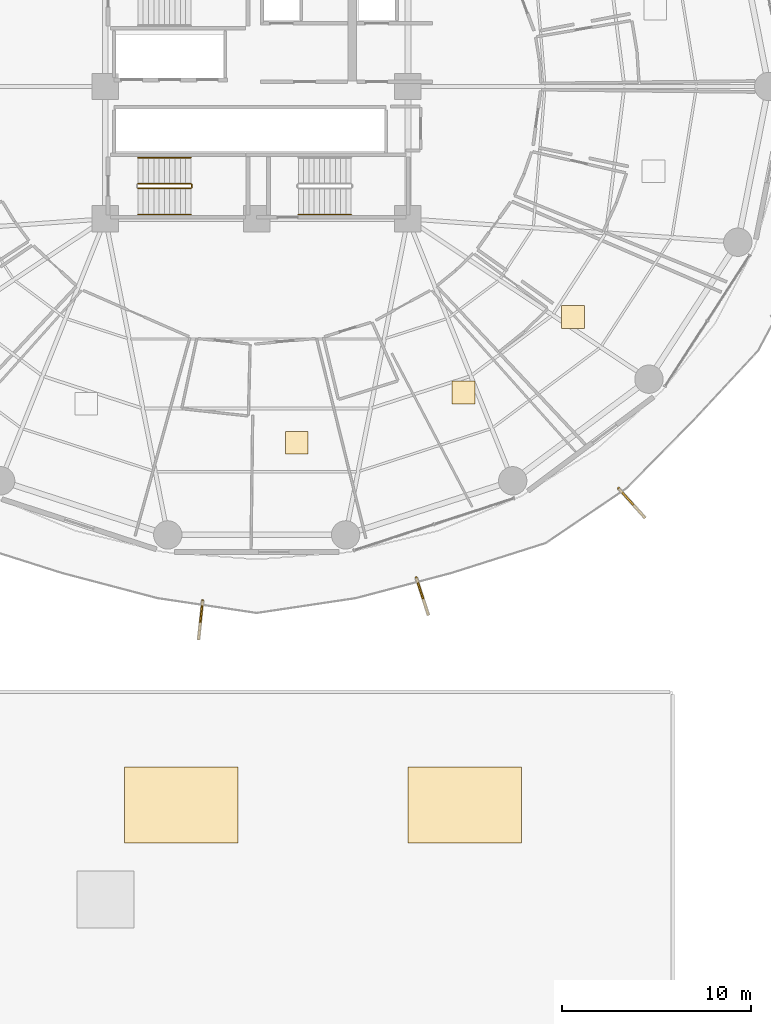
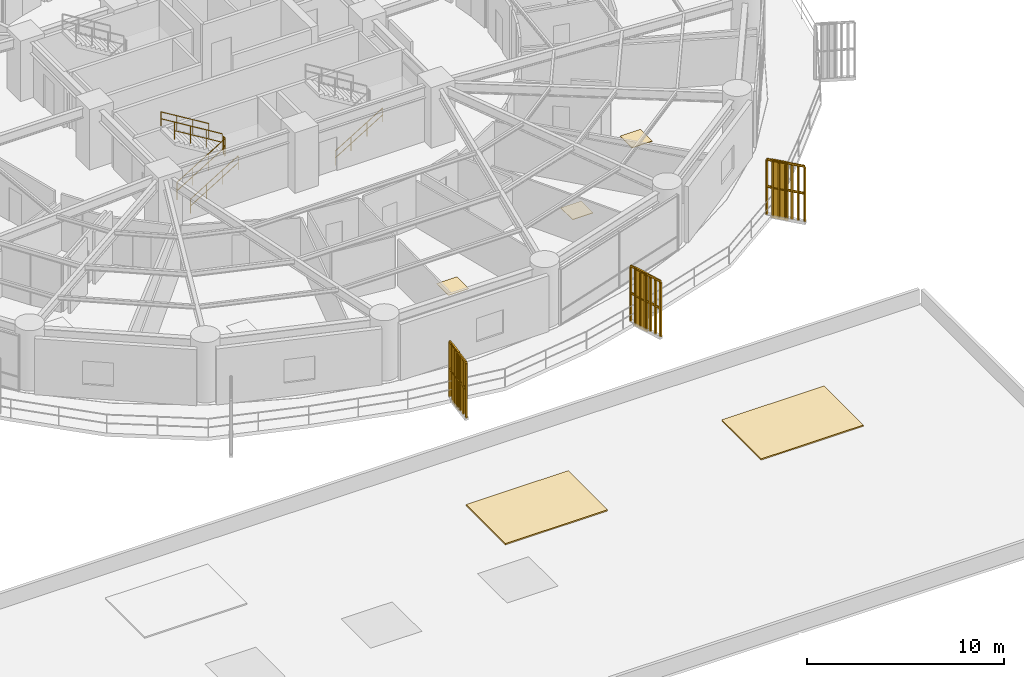
# One storey, part 33 of 35: 9 railings, 5 coverings, 3 shading devices.
"""IFC4 building model written with IfcOpenShell, lengths in metres."""

from ifc_helpers import new_model, si_unit, direction, frame, origin, origin_2d, place, context, subcontext, project, spatial, polyline, rectangle, outline, extrude, source, transform, mapped, material, layer, layer_set, type_object, element, save


model = new_model("IFC4")

# Units and contexts
model_context = context("Model", 3, precision=1e-05, world=origin(), true_north=direction((0.0, 1.0)))
body_context = subcontext(model_context, "Body", "Model", "MODEL_VIEW")
ifc_project = project(units=[si_unit("LENGTHUNIT", "METRE"), si_unit("AREAUNIT", "SQUARE_METRE"), si_unit("VOLUMEUNIT", "CUBIC_METRE"), si_unit("PLANEANGLEUNIT", "RADIAN"), si_unit("MASSUNIT", "GRAM", prefix="KILO")], contexts=[model_context])

# Site, building, storey
site_placement = place(None, origin())
site = spatial("IfcSite", under=ifc_project, at=site_placement, CompositionType="ELEMENT")
building_placement = place(site_placement, origin())
building = spatial("IfcBuilding", under=site, at=building_placement, Name="Kelanora Arch Commons", CompositionType="ELEMENT")
storey_placement = place(building_placement, frame((0.0, 0.0, 22.5)))
storey = spatial("IfcBuildingStorey", under=building, at=storey_placement, Name="L05", CompositionType="ELEMENT", Elevation=22.5)

# Railings
ifc_material_1 = material(Name="Anodised bronze vertical shading fin rib assembly")
railing_type_1 = type_object("IfcRailingType", Name="RAIL-FIN-BRZ", PredefinedType="BALUSTRADE", material=ifc_material_1)
railing_1_placement = place(storey_placement, frame((71.142333984375, 30.810546875, -0.02001953125)))
element("IfcRailing", 1, at=railing_1_placement, inside=storey, type_object=railing_type_1, Name="Sweeping Bronze Vertical Fin Blade L05-11", PredefinedType="BALUSTRADE", context=body_context, shape_type="SweptSolid", body=[
    extrude(outline(polyline([(0.06982421875, 0.0), (0.034912109375, 0.060546875), (-0.034912109375, 0.060546875), (-0.06982421875, 0.0), (-0.034912109375, -0.060546875), (0.034912109375, -0.060546875), (0.06982421875, 0.0)])), frame((0.0, 0.0, 3.419921875), z_axis=(-0.104503244279, -0.994524545668, 0.0), x_axis=(0.994524545668, -0.104503244279, 0.0)), (0.0, 0.0, 1.0), 2.0302734375),
    extrude(outline(polyline([(0.06982421875, 0.0), (0.034912109375, 0.060546875), (-0.034912109375, 0.060546875), (-0.06982421875, 0.0), (-0.034912109375, -0.060546875), (0.034912109375, -0.060546875), (0.06982421875, 0.0)])), frame((0.0, 0.0, 1.7451171875), z_axis=(-0.104503244279, -0.994524545668, 0.0), x_axis=(0.994524545668, -0.104503244279, 0.0)), (0.0, 0.0, 1.0), 2.0302734375),
    extrude(outline(polyline([(0.080078125, 0.0), (0.0400390625, 0.0693359375), (-0.0400390625, 0.0693359375), (-0.080078125, 0.0), (-0.0400390625, -0.0693359375), (0.0400390625, -0.0693359375), (0.080078125, 0.0)])), origin(), (0.0, 0.0, 1.0), 3.35009765625),
    extrude(outline(polyline([(0.080078125, 0.0), (0.0400390625, 0.0693359375), (-0.0400390625, 0.0693359375), (-0.080078125, 0.0), (-0.0400390625, -0.0693359375), (0.0400390625, -0.0693359375), (0.080078125, 0.0)])), frame((-0.035400390625, -0.33642578125, 0.0)), (0.0, 0.0, 1.0), 3.35009765625),
    extrude(outline(polyline([(0.080078125, 0.0), (0.0400390625, 0.0693359375), (-0.0400390625, 0.0693359375), (-0.080078125, 0.0), (-0.0400390625, -0.0693359375), (0.0400390625, -0.0693359375), (0.080078125, 0.0)])), frame((-0.07080078125, -0.673095703125, 0.0)), (0.0, 0.0, 1.0), 3.35009765625),
    extrude(outline(polyline([(0.080078125, 0.0), (0.0400390625, 0.0693359375), (-0.0400390625, 0.0693359375), (-0.080078125, 0.0), (-0.0400390625, -0.0693359375), (0.0400390625, -0.0693359375), (0.080078125, 0.0)])), frame((-0.10595703125, -1.009521484375, 0.0)), (0.0, 0.0, 1.0), 3.35009765625),
    extrude(outline(polyline([(0.080078125, 0.0), (0.0400390625, 0.0693359375), (-0.0400390625, 0.0693359375), (-0.080078125, 0.0), (-0.0400390625, -0.0693359375), (0.0400390625, -0.0693359375), (0.080078125, 0.0)])), frame((-0.141357421875, -1.345947265625, 0.0)), (0.0, 0.0, 1.0), 3.35009765625),
    extrude(outline(polyline([(0.080078125, 0.0), (0.0400390625, 0.0693359375), (-0.0400390625, 0.0693359375), (-0.080078125, 0.0), (-0.0400390625, -0.0693359375), (0.0400390625, -0.0693359375), (0.080078125, 0.0)])), frame((-0.1767578125, -1.6826171875, 0.0)), (0.0, 0.0, 1.0), 3.35009765625),
    extrude(outline(polyline([(0.080078125, 0.0), (0.0400390625, 0.0693359375), (-0.0400390625, 0.0693359375), (-0.080078125, 0.0), (-0.0400390625, -0.0693359375), (0.0400390625, -0.0693359375), (0.080078125, 0.0)])), frame((-0.212158203125, -2.01904296875, 0.0)), (0.0, 0.0, 1.0), 3.35009765625),
])
railing_2_placement = place(storey_placement, frame((82.443115234375, 32.014892578125, -0.02001953125)))
element("IfcRailing", 2, at=railing_2_placement, inside=storey, type_object=railing_type_1, Name="Sweeping Bronze Vertical Fin Blade L05-12", PredefinedType="BALUSTRADE", context=body_context, shape_type="SweptSolid", body=[
    extrude(outline(polyline([(0.06982421875, 0.0), (0.034912109375, 0.060546875), (-0.034912109375, 0.060546875), (-0.06982421875, 0.0), (-0.034912109375, -0.060546875), (0.034912109375, -0.060546875), (0.06982421875, 0.0)])), frame((0.0, 0.0, 3.419921875), z_axis=(0.308966414574, -0.951072949182, 0.0), x_axis=(0.951072949182, 0.308966414574, 0.0)), (0.0, 0.0, 1.0), 2.030029296875),
    extrude(outline(polyline([(0.06982421875, 0.0), (0.034912109375, 0.060546875), (-0.034912109375, 0.060546875), (-0.06982421875, 0.0), (-0.034912109375, -0.060546875), (0.034912109375, -0.060546875), (0.06982421875, 0.0)])), frame((0.0, 0.0, 1.7451171875), z_axis=(0.308966414574, -0.951072949182, 0.0), x_axis=(0.951072949182, 0.308966414574, 0.0)), (0.0, 0.0, 1.0), 2.030029296875),
    extrude(outline(polyline([(0.080078125, 0.0), (0.0400390625, 0.0693359375), (-0.0400390625, 0.0693359375), (-0.080078125, 0.0), (-0.0400390625, -0.0693359375), (0.0400390625, -0.0693359375), (0.080078125, 0.0)])), origin(), (0.0, 0.0, 1.0), 3.35009765625),
    extrude(outline(polyline([(0.080078125, 0.0), (0.0400390625, 0.0693359375), (-0.0400390625, 0.0693359375), (-0.080078125, 0.0), (-0.0400390625, -0.0693359375), (0.0400390625, -0.0693359375), (0.080078125, 0.0)])), frame((0.1044921875, -0.32177734375, 0.0)), (0.0, 0.0, 1.0), 3.35009765625),
    extrude(outline(polyline([(0.080078125, 0.0), (0.0400390625, 0.0693359375), (-0.0400390625, 0.0693359375), (-0.080078125, 0.0), (-0.0400390625, -0.0693359375), (0.0400390625, -0.0693359375), (0.080078125, 0.0)])), frame((0.208984375, -0.6435546875, 0.0)), (0.0, 0.0, 1.0), 3.35009765625),
    extrude(outline(polyline([(0.080078125, 0.0), (0.0400390625, 0.0693359375), (-0.0400390625, 0.0693359375), (-0.080078125, 0.0), (-0.0400390625, -0.0693359375), (0.0400390625, -0.0693359375), (0.080078125, 0.0)])), frame((0.3134765625, -0.96533203125, 0.0)), (0.0, 0.0, 1.0), 3.35009765625),
    extrude(outline(polyline([(0.080078125, 0.0), (0.0400390625, 0.0693359375), (-0.0400390625, 0.0693359375), (-0.080078125, 0.0), (-0.0400390625, -0.0693359375), (0.0400390625, -0.0693359375), (0.080078125, 0.0)])), frame((0.418212890625, -1.287109375, 0.0)), (0.0, 0.0, 1.0), 3.35009765625),
    extrude(outline(polyline([(0.080078125, 0.0), (0.0400390625, 0.0693359375), (-0.0400390625, 0.0693359375), (-0.080078125, 0.0), (-0.0400390625, -0.0693359375), (0.0400390625, -0.0693359375), (0.080078125, 0.0)])), frame((0.522705078125, -1.60888671875, 0.0)), (0.0, 0.0, 1.0), 3.35009765625),
    extrude(outline(polyline([(0.080078125, 0.0), (0.0400390625, 0.0693359375), (-0.0400390625, 0.0693359375), (-0.080078125, 0.0), (-0.0400390625, -0.0693359375), (0.0400390625, -0.0693359375), (0.080078125, 0.0)])), frame((0.627197265625, -1.9306640625, 0.0)), (0.0, 0.0, 1.0), 3.35009765625),
])
railing_3_placement = place(storey_placement, frame((93.14306640625, 36.739501953125, -0.02001953125)))
element("IfcRailing", 3, at=railing_3_placement, inside=storey, type_object=railing_type_1, Name="Sweeping Bronze Vertical Fin Blade L05-13", PredefinedType="BALUSTRADE", context=body_context, shape_type="SweptSolid", body=[
    extrude(outline(polyline([(0.06982421875, 0.0), (0.034912109375, 0.060546875), (-0.034912109375, 0.060546875), (-0.06982421875, 0.0), (-0.034912109375, -0.060546875), (0.034912109375, -0.060546875), (0.06982421875, 0.0)])), frame((0.0, 0.0, 3.419921875), z_axis=(0.669090977714, -0.743180505356, 0.0), x_axis=(0.743180505356, 0.669090977714, 0.0)), (0.0, 0.0, 1.0), 2.02978515625),
    extrude(outline(polyline([(0.06982421875, 0.0), (0.034912109375, 0.060546875), (-0.034912109375, 0.060546875), (-0.06982421875, 0.0), (-0.034912109375, -0.060546875), (0.034912109375, -0.060546875), (0.06982421875, 0.0)])), frame((0.0, 0.0, 1.7451171875), z_axis=(0.669090977714, -0.743180505356, 0.0), x_axis=(0.743180505356, 0.669090977714, 0.0)), (0.0, 0.0, 1.0), 2.02978515625),
    extrude(outline(polyline([(0.080078125, 0.0), (0.0400390625, 0.0693359375), (-0.0400390625, 0.0693359375), (-0.080078125, 0.0), (-0.0400390625, -0.0693359375), (0.0400390625, -0.0693359375), (0.080078125, 0.0)])), origin(), (0.0, 0.0, 1.0), 3.35009765625),
    extrude(outline(polyline([(0.080078125, 0.0), (0.0400390625, 0.0693359375), (-0.0400390625, 0.0693359375), (-0.080078125, 0.0), (-0.0400390625, -0.0693359375), (0.0400390625, -0.0693359375), (0.080078125, 0.0)])), frame((0.226318359375, -0.25146484375, 0.0)), (0.0, 0.0, 1.0), 3.35009765625),
    extrude(outline(polyline([(0.080078125, 0.0), (0.0400390625, 0.0693359375), (-0.0400390625, 0.0693359375), (-0.080078125, 0.0), (-0.0400390625, -0.0693359375), (0.0400390625, -0.0693359375), (0.080078125, 0.0)])), frame((0.45263671875, -0.5029296875, 0.0)), (0.0, 0.0, 1.0), 3.35009765625),
    extrude(outline(polyline([(0.080078125, 0.0), (0.0400390625, 0.0693359375), (-0.0400390625, 0.0693359375), (-0.080078125, 0.0), (-0.0400390625, -0.0693359375), (0.0400390625, -0.0693359375), (0.080078125, 0.0)])), frame((0.67919921875, -0.75439453125, 0.0)), (0.0, 0.0, 1.0), 3.35009765625),
    extrude(outline(polyline([(0.080078125, 0.0), (0.0400390625, 0.0693359375), (-0.0400390625, 0.0693359375), (-0.080078125, 0.0), (-0.0400390625, -0.0693359375), (0.0400390625, -0.0693359375), (0.080078125, 0.0)])), frame((0.905517578125, -1.005615234375, 0.0)), (0.0, 0.0, 1.0), 3.35009765625),
    extrude(outline(polyline([(0.080078125, 0.0), (0.0400390625, 0.0693359375), (-0.0400390625, 0.0693359375), (-0.080078125, 0.0), (-0.0400390625, -0.0693359375), (0.0400390625, -0.0693359375), (0.080078125, 0.0)])), frame((1.1318359375, -1.257080078125, 0.0)), (0.0, 0.0, 1.0), 3.35009765625),
    extrude(outline(polyline([(0.080078125, 0.0), (0.0400390625, 0.0693359375), (-0.0400390625, 0.0693359375), (-0.080078125, 0.0), (-0.0400390625, -0.0693359375), (0.0400390625, -0.0693359375), (0.080078125, 0.0)])), frame((1.358154296875, -1.508544921875, 0.0)), (0.0, 0.0, 1.0), 3.35009765625),
])
ifc_material_2 = material(Name="Painted steel stair well guard", Category="steel")
railing_type_2 = type_object("IfcRailingType", Name="RAIL-STAIR-GRD", PredefinedType="GUARDRAIL", material=ifc_material_2)
railing_4_placement = place(storey_placement, frame((67.719970703125, 52.610107421875, 0.17041015625)))
element("IfcRailing", 4, at=railing_4_placement, inside=storey, type_object=railing_type_2, Name="L05 ST-T3 stair guard 1", PredefinedType="GUARDRAIL", context=body_context, shape_type="SweptSolid", body=[
    extrude(outline(polyline([(0.02392578125, 0.0), (0.011962890625, 0.020751953125), (-0.011962890625, 0.020751953125), (-0.02392578125, 0.0), (-0.011962890625, -0.020751953125), (0.011962890625, -0.020751953125), (0.02392578125, 0.0)])), frame((0.0, 0.0, 1.076171875), z_axis=(0.854169791009, 0.0, 0.51999420009), x_axis=(0.0, 1.0, 0.0)), (0.0, 0.0, 1.0), 3.278076171875),
    extrude(outline(polyline([(0.02392578125, 0.0), (0.011962890625, 0.020751953125), (-0.011962890625, 0.020751953125), (-0.02392578125, 0.0), (-0.011962890625, -0.020751953125), (0.011962890625, -0.020751953125), (0.02392578125, 0.0)])), frame((0.0, 0.0, 0.550048828125), z_axis=(0.854169791009, 0.0, 0.51999420009), x_axis=(0.0, 1.0, 0.0)), (0.0, 0.0, 1.0), 3.278076171875),
    extrude(outline(polyline([(0.02099609375, 0.0), (0.010498046875, 0.01806640625), (-0.010498046875, 0.01806640625), (-0.02099609375, 0.0), (-0.010498046875, -0.01806640625), (0.010498046875, -0.01806640625), (0.02099609375, 0.0)])), origin(), (0.0, 0.0, 1.0), 1.052001953125),
    extrude(outline(polyline([(0.02099609375, 0.0), (0.010498046875, 0.01806640625), (-0.010498046875, 0.01806640625), (-0.02099609375, 0.0), (-0.010498046875, -0.01806640625), (0.010498046875, -0.01806640625), (0.02099609375, 0.0)])), frame((0.933349609375, 0.0, 0.568115234375)), (0.0, 0.0, 1.0), 1.052001953125),
    extrude(outline(polyline([(0.02099609375, 0.0), (0.010498046875, 0.01806640625), (-0.010498046875, 0.01806640625), (-0.02099609375, 0.0), (-0.010498046875, -0.01806640625), (0.010498046875, -0.01806640625), (0.02099609375, 0.0)])), frame((1.86669921875, 0.0, 1.136474609375)), (0.0, 0.0, 1.0), 1.052001953125),
    extrude(outline(polyline([(0.02099609375, 0.0), (0.010498046875, 0.01806640625), (-0.010498046875, 0.01806640625), (-0.02099609375, 0.0), (-0.010498046875, -0.01806640625), (0.010498046875, -0.01806640625), (0.02099609375, 0.0)])), frame((2.800048828125, 0.0, 1.70458984375)), (0.0, 0.0, 1.0), 1.052001953125),
])
railing_5_placement = place(storey_placement, frame((70.570068359375, 52.659912109375, 1.875)))
element("IfcRailing", 5, at=railing_5_placement, inside=storey, type_object=railing_type_2, Name="L05 ST-T3 stair guard 2", PredefinedType="GUARDRAIL", context=body_context, shape_type="SweptSolid", body=[
    extrude(outline(polyline([(0.02392578125, 0.0), (0.011962890625, 0.020751953125), (-0.011962890625, 0.020751953125), (-0.02392578125, 0.0), (-0.011962890625, -0.020751953125), (0.011962890625, -0.020751953125), (0.02392578125, 0.0)])), frame((0.0, 0.0, 1.076171875), z_axis=(0.0, 1.0, 0.0), x_axis=(-1.0, 0.0, 0.0)), (0.0, 0.0, 1.0), 0.150146484375),
    extrude(outline(polyline([(0.02392578125, 0.0), (0.011962890625, 0.020751953125), (-0.011962890625, 0.020751953125), (-0.02392578125, 0.0), (-0.011962890625, -0.020751953125), (0.011962890625, -0.020751953125), (0.02392578125, 0.0)])), frame((0.0, 0.0, 0.550048828125), z_axis=(0.0, 1.0, 0.0), x_axis=(-1.0, 0.0, 0.0)), (0.0, 0.0, 1.0), 0.150146484375),
    extrude(outline(polyline([(0.02099609375, 0.0), (0.010498046875, 0.01806640625), (-0.010498046875, 0.01806640625), (-0.02099609375, 0.0), (-0.010498046875, -0.01806640625), (0.010498046875, -0.01806640625), (0.02099609375, 0.0)])), origin(), (0.0, 0.0, 1.0), 1.052001953125),
    extrude(outline(polyline([(0.02099609375, 0.0), (0.010498046875, 0.01806640625), (-0.010498046875, 0.01806640625), (-0.02099609375, 0.0), (-0.010498046875, -0.01806640625), (0.010498046875, -0.01806640625), (0.02099609375, 0.0)])), frame((0.0, 0.150146484375, 0.0)), (0.0, 0.0, 1.0), 1.052001953125),
])
railing_6_placement = place(storey_placement, frame((70.52001953125, 52.860107421875, 2.04541015625)))
element("IfcRailing", 6, at=railing_6_placement, inside=storey, type_object=railing_type_2, Name="L05 ST-T3 stair guard 3", PredefinedType="GUARDRAIL", context=body_context, shape_type="SweptSolid", body=[
    extrude(outline(polyline([(0.02392578125, 0.0), (0.011962890625, 0.020751953125), (-0.011962890625, 0.020751953125), (-0.02392578125, 0.0), (-0.011962890625, -0.020751953125), (0.011962890625, -0.020751953125), (0.02392578125, 0.0)])), frame((0.0, 0.0, 1.076171875), z_axis=(-0.854169791009, 0.0, 0.51999420009), x_axis=(0.0, -1.0, 0.0)), (0.0, 0.0, 1.0), 3.278076171875),
    extrude(outline(polyline([(0.02392578125, 0.0), (0.011962890625, 0.020751953125), (-0.011962890625, 0.020751953125), (-0.02392578125, 0.0), (-0.011962890625, -0.020751953125), (0.011962890625, -0.020751953125), (0.02392578125, 0.0)])), frame((0.0, 0.0, 0.550048828125), z_axis=(-0.854169791009, 0.0, 0.51999420009), x_axis=(0.0, -1.0, 0.0)), (0.0, 0.0, 1.0), 3.278076171875),
    extrude(outline(polyline([(0.02099609375, 0.0), (0.010498046875, 0.01806640625), (-0.010498046875, 0.01806640625), (-0.02099609375, 0.0), (-0.010498046875, -0.01806640625), (0.010498046875, -0.01806640625), (0.02099609375, 0.0)])), origin(), (0.0, 0.0, 1.0), 1.052001953125),
    extrude(outline(polyline([(0.02099609375, 0.0), (0.010498046875, 0.01806640625), (-0.010498046875, 0.01806640625), (-0.02099609375, 0.0), (-0.010498046875, -0.01806640625), (0.010498046875, -0.01806640625), (0.02099609375, 0.0)])), frame((-0.933349609375, 0.0, 0.568115234375)), (0.0, 0.0, 1.0), 1.052001953125),
    extrude(outline(polyline([(0.02099609375, 0.0), (0.010498046875, 0.01806640625), (-0.010498046875, 0.01806640625), (-0.02099609375, 0.0), (-0.010498046875, -0.01806640625), (0.010498046875, -0.01806640625), (0.02099609375, 0.0)])), frame((-1.86669921875, 0.0, 1.136474609375)), (0.0, 0.0, 1.0), 1.052001953125),
    extrude(outline(polyline([(0.02099609375, 0.0), (0.010498046875, 0.01806640625), (-0.010498046875, 0.01806640625), (-0.02099609375, 0.0), (-0.010498046875, -0.01806640625), (0.010498046875, -0.01806640625), (0.02099609375, 0.0)])), frame((-2.800048828125, 0.0, 1.70458984375)), (0.0, 0.0, 1.0), 1.052001953125),
])
ifc_material_3 = material(Name="Brushed stainless steel stair handrail", Category="steel")
railing_type_3 = type_object("IfcRailingType", Name="RAIL-STAIR-HND", PredefinedType="HANDRAIL", material=ifc_material_3)
railing_7_placement = place(storey_placement, frame((76.199951171875, 51.22998046875, 0.17041015625)))
element("IfcRailing", 7, at=railing_7_placement, inside=storey, type_object=railing_type_3, Name="L05 ST-T2 stair handrail 1", PredefinedType="HANDRAIL", context=body_context, shape_type="SweptSolid", body=[
    extrude(outline(polyline([(0.02392578125, 0.0), (0.011962890625, 0.020751953125), (-0.011962890625, 0.020751953125), (-0.02392578125, 0.0), (-0.011962890625, -0.020751953125), (0.011962890625, -0.020751953125), (0.02392578125, 0.0)])), frame((0.0, 0.0, 0.8759765625), z_axis=(0.854169791009, 0.0, 0.51999420009), x_axis=(0.0, 1.0, 0.0)), (0.0, 0.0, 1.0), 3.278076171875),
    extrude(outline(polyline([(0.02392578125, 0.0), (0.011962890625, 0.020751953125), (-0.011962890625, 0.020751953125), (-0.02392578125, 0.0), (-0.011962890625, -0.020751953125), (0.011962890625, -0.020751953125), (0.02392578125, 0.0)])), frame((0.0, 0.0, 0.449951171875), z_axis=(0.854169791009, 0.0, 0.51999420009), x_axis=(0.0, 1.0, 0.0)), (0.0, 0.0, 1.0), 3.278076171875),
    extrude(outline(polyline([(0.02099609375, 0.0), (0.010498046875, 0.01806640625), (-0.010498046875, 0.01806640625), (-0.02099609375, 0.0), (-0.010498046875, -0.01806640625), (0.010498046875, -0.01806640625), (0.02099609375, 0.0)])), origin(), (0.0, 0.0, 1.0), 0.851806640625),
    extrude(outline(polyline([(0.02099609375, 0.0), (0.010498046875, 0.01806640625), (-0.010498046875, 0.01806640625), (-0.02099609375, 0.0), (-0.010498046875, -0.01806640625), (0.010498046875, -0.01806640625), (0.02099609375, 0.0)])), frame((0.933349609375, 0.0, 0.568115234375)), (0.0, 0.0, 1.0), 0.851806640625),
    extrude(outline(polyline([(0.02099609375, 0.0), (0.010498046875, 0.01806640625), (-0.010498046875, 0.01806640625), (-0.02099609375, 0.0), (-0.010498046875, -0.01806640625), (0.010498046875, -0.01806640625), (0.02099609375, 0.0)])), frame((1.86669921875, 0.0, 1.136474609375)), (0.0, 0.0, 1.0), 0.851806640625),
    extrude(outline(polyline([(0.02099609375, 0.0), (0.010498046875, 0.01806640625), (-0.010498046875, 0.01806640625), (-0.02099609375, 0.0), (-0.010498046875, -0.01806640625), (0.010498046875, -0.01806640625), (0.02099609375, 0.0)])), frame((2.800048828125, 0.0, 1.70458984375)), (0.0, 0.0, 1.0), 0.851806640625),
])
railing_8_placement = place(storey_placement, frame((67.719970703125, 51.22998046875, 0.17041015625)))
element("IfcRailing", 8, at=railing_8_placement, inside=storey, type_object=railing_type_3, Name="L05 ST-T3 stair handrail 1", PredefinedType="HANDRAIL", context=body_context, shape_type="SweptSolid", body=[
    extrude(outline(polyline([(0.02392578125, 0.0), (0.011962890625, 0.020751953125), (-0.011962890625, 0.020751953125), (-0.02392578125, 0.0), (-0.011962890625, -0.020751953125), (0.011962890625, -0.020751953125), (0.02392578125, 0.0)])), frame((0.0, 0.0, 0.8759765625), z_axis=(0.854169791009, 0.0, 0.51999420009), x_axis=(0.0, 1.0, 0.0)), (0.0, 0.0, 1.0), 3.278076171875),
    extrude(outline(polyline([(0.02392578125, 0.0), (0.011962890625, 0.020751953125), (-0.011962890625, 0.020751953125), (-0.02392578125, 0.0), (-0.011962890625, -0.020751953125), (0.011962890625, -0.020751953125), (0.02392578125, 0.0)])), frame((0.0, 0.0, 0.449951171875), z_axis=(0.854169791009, 0.0, 0.51999420009), x_axis=(0.0, 1.0, 0.0)), (0.0, 0.0, 1.0), 3.278076171875),
    extrude(outline(polyline([(0.02099609375, 0.0), (0.010498046875, 0.01806640625), (-0.010498046875, 0.01806640625), (-0.02099609375, 0.0), (-0.010498046875, -0.01806640625), (0.010498046875, -0.01806640625), (0.02099609375, 0.0)])), origin(), (0.0, 0.0, 1.0), 0.851806640625),
    extrude(outline(polyline([(0.02099609375, 0.0), (0.010498046875, 0.01806640625), (-0.010498046875, 0.01806640625), (-0.02099609375, 0.0), (-0.010498046875, -0.01806640625), (0.010498046875, -0.01806640625), (0.02099609375, 0.0)])), frame((0.933349609375, 0.0, 0.568115234375)), (0.0, 0.0, 1.0), 0.851806640625),
    extrude(outline(polyline([(0.02099609375, 0.0), (0.010498046875, 0.01806640625), (-0.010498046875, 0.01806640625), (-0.02099609375, 0.0), (-0.010498046875, -0.01806640625), (0.010498046875, -0.01806640625), (0.02099609375, 0.0)])), frame((1.86669921875, 0.0, 1.136474609375)), (0.0, 0.0, 1.0), 0.851806640625),
    extrude(outline(polyline([(0.02099609375, 0.0), (0.010498046875, 0.01806640625), (-0.010498046875, 0.01806640625), (-0.02099609375, 0.0), (-0.010498046875, -0.01806640625), (0.010498046875, -0.01806640625), (0.02099609375, 0.0)])), frame((2.800048828125, 0.0, 1.70458984375)), (0.0, 0.0, 1.0), 0.851806640625),
])
railing_9_placement = place(storey_placement, frame((70.52001953125, 54.239990234375, 2.04541015625)))
element("IfcRailing", 9, at=railing_9_placement, inside=storey, type_object=railing_type_3, Name="L05 ST-T3 stair handrail 2", PredefinedType="HANDRAIL", context=body_context, shape_type="SweptSolid", body=[
    extrude(outline(polyline([(0.02392578125, 0.0), (0.011962890625, 0.020751953125), (-0.011962890625, 0.020751953125), (-0.02392578125, 0.0), (-0.011962890625, -0.020751953125), (0.011962890625, -0.020751953125), (0.02392578125, 0.0)])), frame((0.0, 0.0, 0.8759765625), z_axis=(-0.854169791009, 0.0, 0.51999420009), x_axis=(0.0, -1.0, 0.0)), (0.0, 0.0, 1.0), 3.278076171875),
    extrude(outline(polyline([(0.02392578125, 0.0), (0.011962890625, 0.020751953125), (-0.011962890625, 0.020751953125), (-0.02392578125, 0.0), (-0.011962890625, -0.020751953125), (0.011962890625, -0.020751953125), (0.02392578125, 0.0)])), frame((0.0, 0.0, 0.449951171875), z_axis=(-0.854169791009, 0.0, 0.51999420009), x_axis=(0.0, -1.0, 0.0)), (0.0, 0.0, 1.0), 3.278076171875),
    extrude(outline(polyline([(0.02099609375, 0.0), (0.010498046875, 0.01806640625), (-0.010498046875, 0.01806640625), (-0.02099609375, 0.0), (-0.010498046875, -0.01806640625), (0.010498046875, -0.01806640625), (0.02099609375, 0.0)])), origin(), (0.0, 0.0, 1.0), 0.851806640625),
    extrude(outline(polyline([(0.02099609375, 0.0), (0.010498046875, 0.01806640625), (-0.010498046875, 0.01806640625), (-0.02099609375, 0.0), (-0.010498046875, -0.01806640625), (0.010498046875, -0.01806640625), (0.02099609375, 0.0)])), frame((-0.933349609375, 0.0, 0.568115234375)), (0.0, 0.0, 1.0), 0.851806640625),
    extrude(outline(polyline([(0.02099609375, 0.0), (0.010498046875, 0.01806640625), (-0.010498046875, 0.01806640625), (-0.02099609375, 0.0), (-0.010498046875, -0.01806640625), (0.010498046875, -0.01806640625), (0.02099609375, 0.0)])), frame((-1.86669921875, 0.0, 1.136474609375)), (0.0, 0.0, 1.0), 0.851806640625),
    extrude(outline(polyline([(0.02099609375, 0.0), (0.010498046875, 0.01806640625), (-0.010498046875, 0.01806640625), (-0.02099609375, 0.0), (-0.010498046875, -0.01806640625), (0.010498046875, -0.01806640625), (0.02099609375, 0.0)])), frame((-2.800048828125, 0.0, 1.70458984375)), (0.0, 0.0, 1.0), 0.851806640625),
])

# Shading devices
ifc_material_4 = material(Name="Terracotta ceramic-clad extruded aluminium fin", Category="masonry")
shading_device_type = type_object("IfcShadingDeviceType", Name="SHD-FIN-FLARE", PredefinedType="USERDEFINED", material=ifc_material_4)
shared_shape_1 = source(origin(), body_context, "Body", "SweptSolid", [
    extrude(rectangle(XDim=0.8798828125, YDim=0.090087890625, at=origin_2d()), origin(), (0.0, 0.0, 1.0), 3.610107421875),
])
for number, where, z_axis, x_axis, name in (
    (10, (71.06689453125, 30.094482421875, -0.14013671875), (0.0, 0.0, 1.0), (-0.104528463268, -0.994521895368, 0.0), "Sweeping Terracotta Fin L05-11"),
    (11, (82.66552734375, 31.330078125, -0.14013671875), (0.0, 0.0, 1.0), (0.309016994375, -0.951056516295, 0.0), "Sweeping Terracotta Fin L05-12"),
    (12, (93.624755859375, 36.20458984375, -0.14013671875), (0.0, 0.0, 1.0), (0.669130606359, -0.743144825477, 0.0), "Sweeping Terracotta Fin L05-13"),
):
    element("IfcShadingDevice", number, at=place(storey_placement, frame(where, z_axis=z_axis, x_axis=x_axis)), inside=storey, type_object=shading_device_type, Name=name, ObjectType="FIN", PredefinedType="USERDEFINED", context=body_context, shape_type="MappedRepresentation", body=[
        mapped(shared_shape_1, transform((0.0, 0.0, 0.0), scale=1.0)),
    ])

# Coverings
ifc_material_5 = material(Name="Insulated standing-seam terracotta-bronze metal roofing", Category="masonry")
ifc_layer_1 = layer(ifc_material_5, 0.080078125)
ifc_layer_set_1 = layer_set([ifc_layer_1], Name="Insulated standing-seam terracotta-bronze metal roofing")
covering_type_1 = type_object("IfcCoveringType", Name="COV-ROOF-MEM", PredefinedType="ROOFING", material=ifc_layer_set_1)
shared_shape_2 = source(origin(), body_context, "Body", "SweptSolid", [
    extrude(rectangle(XDim=6.0, YDim=4.0, at=origin_2d()), origin(), (0.0, 0.0, 1.0), 0.080078125),
])
for number, where, z_axis, x_axis, name in (
    (13, (70.0, 20.0, 0.0), (0.0, 0.0, 1.0), (1.0, 0.0, 0.0), "Market Hall Standing-Seam Roof Panel 3"),
    (14, (85.0, 20.0, 0.0), (0.0, 0.0, 1.0), (1.0, 0.0, 0.0), "Market Hall Standing-Seam Roof Panel 4"),
):
    element("IfcCovering", number, at=place(storey_placement, frame(where, z_axis=z_axis, x_axis=x_axis)), inside=storey, type_object=covering_type_1, Name=name, PredefinedType="ROOFING", context=body_context, shape_type="MappedRepresentation", body=[
        mapped(shared_shape_2, transform((0.0, 0.0, 0.0), scale=1.0)),
    ])
ifc_material_6 = material(Name="Polished local granite terrazzo flooring", Category="masonry")
ifc_layer_2 = layer(ifc_material_6, 0.030029296875)
ifc_layer_set_2 = layer_set([ifc_layer_2], Name="Polished local granite terrazzo flooring")
covering_type_2 = type_object("IfcCoveringType", Name="COV-FLR-TER", PredefinedType="FLOORING", material=ifc_layer_set_2)
shared_shape_3 = source(origin(), body_context, "Body", "SweptSolid", [
    extrude(rectangle(XDim=1.199951171875, YDim=1.199951171875, at=origin_2d()), origin(), (0.0, 0.0, 1.0), 0.030029296875),
])
for number, where, z_axis, x_axis, name in (
    (15, (76.12255859375, 39.1591796875, 0.0), (0.0, 0.0, 1.0), (1.0, 0.0, 0.0), "Quiet Reading Carrel L05-11 Terrazzo Finish"),
    (16, (84.94091796875, 41.8134765625, 0.0), (0.0, 0.0, 1.0), (1.0, 0.0, 0.0), "Tutorial Study Alcove L05-12 Terrazzo Finish"),
    (17, (90.73291015625, 45.807373046875, 0.0), (0.0, 0.0, 1.0), (1.0, 0.0, 0.0), "Co-Living Studio L05-13 Terrazzo Finish"),
):
    element("IfcCovering", number, at=place(storey_placement, frame(where, z_axis=z_axis, x_axis=x_axis)), inside=storey, type_object=covering_type_2, Name=name, PredefinedType="FLOORING", context=body_context, shape_type="MappedRepresentation", body=[
        mapped(shared_shape_3, transform((0.0, 0.0, 0.0), scale=1.0)),
    ])

save(model, "model.ifc")
